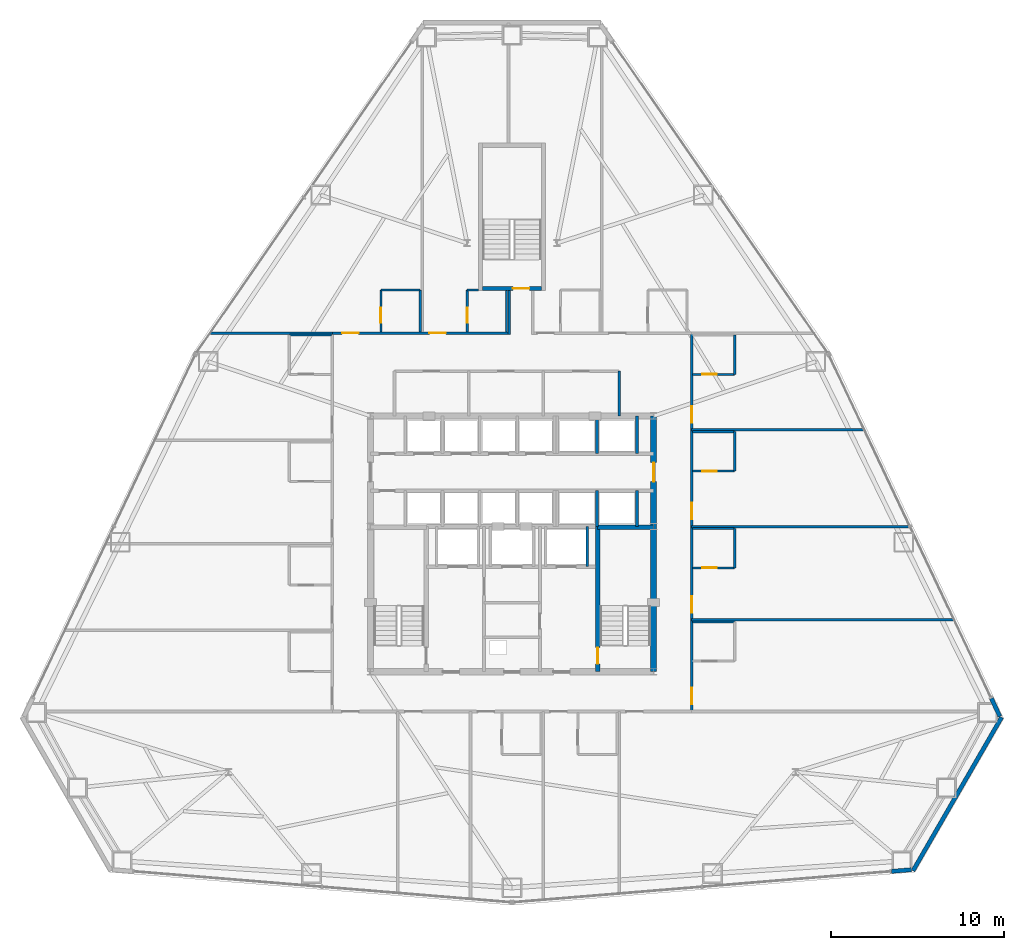
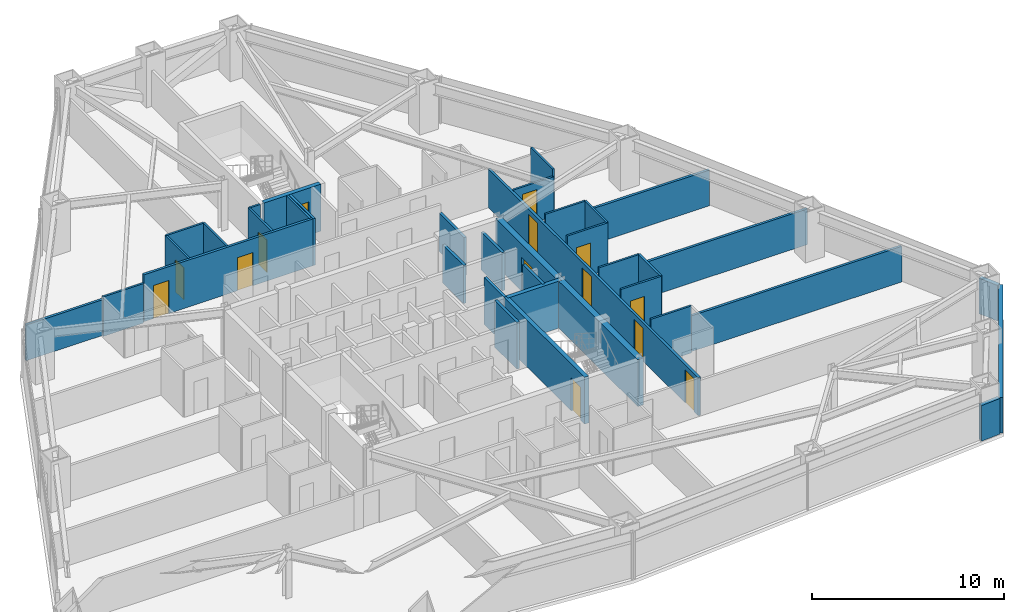
# One storey, part 11 of 13: 36 walls, 14 doors, 14 openings.
"""IFC4 building model written with IfcOpenShell, lengths in metres."""

from ifc_helpers import new_model, si_unit, direction, frame, frame_2d, origin, place, context, subcontext, project, spatial, rectangle, extrude, material, layer, layer_set, type_object, element, fill, save


model = new_model("IFC4")

# Units and contexts
model_context = context("Model", 3, precision=1e-05, world=origin(), true_north=direction((0.0, 1.0)))
body_context = subcontext(model_context, "Body", "Model", "MODEL_VIEW")
ifc_project = project(units=[si_unit("LENGTHUNIT", "METRE"), si_unit("AREAUNIT", "SQUARE_METRE"), si_unit("VOLUMEUNIT", "CUBIC_METRE"), si_unit("PLANEANGLEUNIT", "RADIAN"), si_unit("MASSUNIT", "GRAM", prefix="KILO")], contexts=[model_context])

# Site, building, storey
site_placement = place(None, origin())
site = spatial("IfcSite", under=ifc_project, at=site_placement, CompositionType="ELEMENT")
building_placement = place(site_placement, origin())
building = spatial("IfcBuilding", under=site, at=building_placement, Name="Varakhsha Concourse Tower", CompositionType="ELEMENT")
storey_placement = place(building_placement, frame((0.0, 0.0, 49.60009765625)))
storey = spatial("IfcBuildingStorey", under=building, at=storey_placement, Name="L13", CompositionType="ELEMENT", Elevation=49.60009765625)

# Wall, opening, door
ifc_material_1 = material(Name="Concrete fc 65 MPa", Category="concrete")
ifc_layer_1 = layer(ifc_material_1, 0.35009765625, Name="WL-CORE-350")
ifc_layer_set_1 = layer_set([ifc_layer_1], Name="Concrete fc 65 MPa")
wall_type_1 = type_object("IfcWallType", Name="WL-CORE-350", PredefinedType="SHEAR", material=ifc_layer_set_1)
wall_1_placement = place(storey_placement, frame((48.199951171875, 16.39990234375, 0.0), z_axis=(0.0, 0.0, 1.0), x_axis=(0.0, 1.0, 0.0)))
wall_1 = element("IfcWall", 1, at=wall_1_placement, inside=storey, type_object=wall_type_1, Name="L13 Wall CWALL-E-L13", PredefinedType="SHEAR", context=body_context, shape_type="SweptSolid", body=[
    extrude(rectangle(XDim=14.800048828125, YDim=0.35009765625, at=frame_2d((7.39990234375, 0.0))), origin(), (0.0, 0.0, 1.0), 2.97998046875),
])
opening_1_placement = place(wall_1_placement, frame((11.0, 0.0, 0.0)))
opening_1 = element("IfcOpeningElement", 2, at=opening_1_placement, cuts=wall_1, Name="Opening DL-01", PredefinedType="OPENING", context=body_context, shape_type="SweptSolid", body=[
    extrude(rectangle(XDim=1.10009765625, YDim=2.14990234375, at=frame_2d((0.550048828125, 1.074951171875))), frame((0.0, 0.18505859375, 0.0), z_axis=(0.0, -1.0, 0.0), x_axis=(1.0, 0.0, 0.0)), (0.0, 0.0, 1.0), 0.3701171875),
])
ifc_material_2 = material(Name="Anodised Bronze Architectural Aluminium AA 6063-T6", Category="aluminium")
door_type_1 = type_object("IfcDoorType", Name="DR-LOB-1100", OperationType="NOTDEFINED", PredefinedType="DOOR", material=ifc_material_2)
door_1_placement = place(opening_1_placement, origin())
door_1 = element("IfcDoor", 3, at=door_1_placement, inside=storey, type_object=door_type_1, Name="L13 Lift Lobby East Concourse Door", OperationType="SINGLE_SWING_RIGHT", OverallHeight=2.14990234375, OverallWidth=1.10009765625, PredefinedType="DOOR", context=body_context, shape_type="SweptSolid", body=[
    extrude(rectangle(XDim=1.10009765625, YDim=2.14990234375, at=frame_2d((0.550048828125, 1.074951171875))), frame((0.0, 0.02490234375, 0.0), z_axis=(0.0, -1.0, 0.0), x_axis=(1.0, 0.0, 0.0)), (0.0, 0.0, 1.0), 0.050048828125),
])
fill(opening_1, door_1)

# Walls
ifc_material_3 = material(Name="Concrete fc 45 MPa", Category="concrete")
ifc_layer_2 = layer(ifc_material_3, 0.239990234375, Name="WL-EXT-CRN-240")
ifc_layer_set_2 = layer_set([ifc_layer_2], Name="Concrete fc 45 MPa")
wall_type_2 = type_object("IfcWallType", Name="WL-EXT-CRN-240", PredefinedType="SHEAR", material=ifc_layer_set_2)
wall_2_placement = place(storey_placement, frame((61.953857421875, 4.8466796875, 0.0), z_axis=(0.0, 0.0, 1.0), x_axis=(0.996673482789, 0.081498274251, 0.0)))
element("IfcWall", 4, at=wall_2_placement, inside=storey, type_object=wall_type_2, Name="L13 Wind-Corner Shoulder Wall F6", PredefinedType="SHEAR", context=body_context, shape_type="SweptSolid", body=[
    extrude(rectangle(XDim=1.162353515625, YDim=0.239990234375, at=frame_2d((0.5810546875, 0.0))), origin(), (0.0, 0.0, 1.0), 2.262939453125),
])
wall_3_placement = place(storey_placement, frame((68.334716796875, 13.762939453125, 0.0), z_axis=(0.0, 0.0, 1.0), x_axis=(-0.50000197177, -0.86602426538, 0.0)))
element("IfcWall", 5, at=wall_3_placement, inside=storey, type_object=wall_type_2, Name="L13 Chamfer Wind-Corner Insulated Wall F7", PredefinedType="SHEAR", context=body_context, shape_type="SweptSolid", body=[
    extrude(rectangle(XDim=10.25732421875, YDim=0.239990234375, at=frame_2d((5.128662109375, 0.0))), origin(), (0.0, 0.0, 1.0), 2.262939453125),
])
wall_4_placement = place(storey_placement, frame((68.234619140625, 13.8134765625, 0.0), z_axis=(0.0, 0.0, 1.0), x_axis=(-0.42778841273, 0.903878904463, 0.0)))
element("IfcWall", 6, at=wall_4_placement, inside=storey, type_object=wall_type_2, Name="L13 Wind-Corner Shoulder Wall F8", PredefinedType="SHEAR", context=body_context, shape_type="SweptSolid", body=[
    extrude(rectangle(XDim=1.16259765625, YDim=0.239990234375, at=frame_2d((0.581298828125, 0.0))), origin(), (0.0, 0.0, 1.0), 2.262939453125),
])
ifc_material_4 = material(Name="Acoustic Gypsum Board Partition Assembly", Category="gypsum")
ifc_layer_3 = layer(ifc_material_4, 0.1201171875, Name="WL-PART-120")
ifc_layer_set_3 = layer_set([ifc_layer_3], Name="Acoustic Gypsum Board Partition Assembly")
wall_type_3 = type_object("IfcWallType", Name="WL-PART-120", PredefinedType="PARTITIONING", material=ifc_layer_set_3)
wall_5_placement = place(storey_placement, frame((27.110107421875, 35.889892578125, 0.0), z_axis=(0.0, 0.0, 1.0), x_axis=(1.0, 0.0, 0.0)))
element("IfcWall", 7, at=wall_5_placement, inside=storey, type_object=wall_type_3, Name="L13 Wall ENSW-N-L13-H09", PredefinedType="PARTITIONING", context=body_context, shape_type="SweptSolid", body=[
    extrude(rectangle(XDim=2.429931640625, YDim=0.1201171875, at=frame_2d((1.21484375, 0.0))), origin(), (0.0, 0.0, 1.0), 2.512939453125),
])
wall_6_placement = place(storey_placement, frame((50.4599609375, 19.2900390625, 0.0), z_axis=(0.0, 0.0, 1.0), x_axis=(1.0, 0.0, 0.0)))
element("IfcWall", 8, at=wall_6_placement, inside=storey, type_object=wall_type_3, Name="L13 Wall ENSW-N-L13-H10", PredefinedType="PARTITIONING", context=body_context, shape_type="SweptSolid", body=[
    extrude(rectangle(XDim=2.429931640625, YDim=0.1201171875, at=frame_2d((1.21484375, 0.0))), origin(), (0.0, 0.0, 1.0), 2.97998046875),
])
wall_7_placement = place(storey_placement, frame((52.889892578125, 22.409912109375, 0.0), z_axis=(0.0, 0.0, 1.0), x_axis=(0.0, 1.0, 0.0)))
element("IfcWall", 9, at=wall_7_placement, inside=storey, type_object=wall_type_3, Name="L13 Wall ENSW-E-L13-H11", PredefinedType="PARTITIONING", context=body_context, shape_type="SweptSolid", body=[
    extrude(rectangle(XDim=2.280029296875, YDim=0.1201171875, at=frame_2d((1.14013671875, 0.0))), origin(), (0.0, 0.0, 1.0), 2.97998046875),
])

# Wall, opening, door
wall_8_placement = place(storey_placement, frame((50.4599609375, 22.409912109375, 0.0), z_axis=(0.0, 0.0, 1.0), x_axis=(1.0, 0.0, 0.0)))
wall_8 = element("IfcWall", 10, at=wall_8_placement, inside=storey, type_object=wall_type_3, Name="L13 Wall ENSW-S-L13-H11", PredefinedType="PARTITIONING", context=body_context, shape_type="SweptSolid", body=[
    extrude(rectangle(XDim=2.429931640625, YDim=0.1201171875, at=frame_2d((1.21484375, 0.0))), origin(), (0.0, 0.0, 1.0), 2.97998046875),
])
opening_2_placement = place(wall_8_placement, frame((0.550048828125, 0.0, 0.0)))
opening_2 = element("IfcOpeningElement", 11, at=opening_2_placement, cuts=wall_8, Name="Opening DI-01", PredefinedType="OPENING", context=body_context, shape_type="SweptSolid", body=[
    extrude(rectangle(XDim=0.85009765625, YDim=2.050048828125, at=frame_2d((0.425048828125, 1.02490234375))), frame((0.0, 0.070068359375, 0.0), z_axis=(0.0, -1.0, 0.0), x_axis=(1.0, 0.0, 0.0)), (0.0, 0.0, 1.0), 0.14013671875),
])
ifc_material_5 = material(Name="Architectural Walnut Acoustic Timber Door", Category="wood")
door_type_2 = type_object("IfcDoorType", Name="DR-INT-850", OperationType="NOTDEFINED", PredefinedType="DOOR", material=ifc_material_5)
door_2_placement = place(opening_2_placement, origin())
door_2 = element("IfcDoor", 12, at=door_2_placement, inside=storey, type_object=door_type_2, Name="L13 En-suite Bathroom Door L13-H11", OperationType="SINGLE_SWING_RIGHT", OverallHeight=2.050048828125, OverallWidth=0.85009765625, PredefinedType="DOOR", context=body_context, shape_type="SweptSolid", body=[
    extrude(rectangle(XDim=0.85009765625, YDim=2.050048828125, at=frame_2d((0.425048828125, 1.02490234375))), frame((0.0, 0.02490234375, 0.0), z_axis=(0.0, -1.0, 0.0), x_axis=(1.0, 0.0, 0.0)), (0.0, 0.0, 1.0), 0.050048828125),
])
fill(opening_2, door_2)

# Walls
wall_9_placement = place(storey_placement, frame((50.4599609375, 24.68994140625, 0.0), z_axis=(0.0, 0.0, 1.0), x_axis=(1.0, 0.0, 0.0)))
element("IfcWall", 13, at=wall_9_placement, inside=storey, type_object=wall_type_3, Name="L13 Wall ENSW-N-L13-H11", PredefinedType="PARTITIONING", context=body_context, shape_type="SweptSolid", body=[
    extrude(rectangle(XDim=2.429931640625, YDim=0.1201171875, at=frame_2d((1.21484375, 0.0))), origin(), (0.0, 0.0, 1.0), 2.97998046875),
])
wall_10_placement = place(storey_placement, frame((52.889892578125, 28.010009765625, 0.0), z_axis=(0.0, 0.0, 1.0), x_axis=(0.0, 1.0, 0.0)))
element("IfcWall", 14, at=wall_10_placement, inside=storey, type_object=wall_type_3, Name="L13 Wall ENSW-E-L13-H12", PredefinedType="PARTITIONING", context=body_context, shape_type="SweptSolid", body=[
    extrude(rectangle(XDim=2.280029296875, YDim=0.1201171875, at=frame_2d((1.14013671875, 0.0))), origin(), (0.0, 0.0, 1.0), 2.97998046875),
])

# Wall, opening, door
wall_11_placement = place(storey_placement, frame((50.4599609375, 28.010009765625, 0.0), z_axis=(0.0, 0.0, 1.0), x_axis=(1.0, 0.0, 0.0)))
wall_11 = element("IfcWall", 15, at=wall_11_placement, inside=storey, type_object=wall_type_3, Name="L13 Wall ENSW-S-L13-H12", PredefinedType="PARTITIONING", context=body_context, shape_type="SweptSolid", body=[
    extrude(rectangle(XDim=2.429931640625, YDim=0.1201171875, at=frame_2d((1.21484375, 0.0))), origin(), (0.0, 0.0, 1.0), 2.97998046875),
])
opening_3_placement = place(wall_11_placement, frame((0.550048828125, 0.0, 0.0)))
opening_3 = element("IfcOpeningElement", 16, at=opening_3_placement, cuts=wall_11, Name="Opening DI-01", PredefinedType="OPENING", context=body_context, shape_type="SweptSolid", body=[
    extrude(rectangle(XDim=0.85009765625, YDim=2.050048828125, at=frame_2d((0.425048828125, 1.02490234375))), frame((0.0, 0.070068359375, 0.0), z_axis=(0.0, -1.0, 0.0), x_axis=(1.0, 0.0, 0.0)), (0.0, 0.0, 1.0), 0.14013671875),
])
door_3_placement = place(opening_3_placement, origin())
door_3 = element("IfcDoor", 17, at=door_3_placement, inside=storey, type_object=door_type_2, Name="L13 En-suite Bathroom Door L13-H12", OperationType="SINGLE_SWING_RIGHT", OverallHeight=2.050048828125, OverallWidth=0.85009765625, PredefinedType="DOOR", context=body_context, shape_type="SweptSolid", body=[
    extrude(rectangle(XDim=0.85009765625, YDim=2.050048828125, at=frame_2d((0.425048828125, 1.02490234375))), frame((0.0, 0.02490234375, 0.0), z_axis=(0.0, -1.0, 0.0), x_axis=(1.0, 0.0, 0.0)), (0.0, 0.0, 1.0), 0.050048828125),
])
fill(opening_3, door_3)

# Walls
wall_12_placement = place(storey_placement, frame((50.4599609375, 30.2900390625, 0.0), z_axis=(0.0, 0.0, 1.0), x_axis=(1.0, 0.0, 0.0)))
element("IfcWall", 18, at=wall_12_placement, inside=storey, type_object=wall_type_3, Name="L13 Wall ENSW-N-L13-H12", PredefinedType="PARTITIONING", context=body_context, shape_type="SweptSolid", body=[
    extrude(rectangle(XDim=2.429931640625, YDim=0.1201171875, at=frame_2d((1.21484375, 0.0))), origin(), (0.0, 0.0, 1.0), 2.97998046875),
])
wall_13_placement = place(storey_placement, frame((52.889892578125, 33.610107421875, 0.0), z_axis=(0.0, 0.0, 1.0), x_axis=(0.0, 1.0, 0.0)))
element("IfcWall", 19, at=wall_13_placement, inside=storey, type_object=wall_type_3, Name="L13 Wall ENSW-E-L13-H13", PredefinedType="PARTITIONING", context=body_context, shape_type="SweptSolid", body=[
    extrude(rectangle(XDim=2.27978515625, YDim=0.1201171875, at=frame_2d((1.139892578125, 0.0))), origin(), (0.0, 0.0, 1.0), 2.97998046875),
])

# Wall, opening, door
wall_14_placement = place(storey_placement, frame((50.4599609375, 33.610107421875, 0.0), z_axis=(0.0, 0.0, 1.0), x_axis=(1.0, 0.0, 0.0)))
wall_14 = element("IfcWall", 20, at=wall_14_placement, inside=storey, type_object=wall_type_3, Name="L13 Wall ENSW-S-L13-H13", PredefinedType="PARTITIONING", context=body_context, shape_type="SweptSolid", body=[
    extrude(rectangle(XDim=2.429931640625, YDim=0.1201171875, at=frame_2d((1.21484375, 0.0))), origin(), (0.0, 0.0, 1.0), 2.512939453125),
])
opening_4_placement = place(wall_14_placement, frame((0.550048828125, 0.0, 0.0)))
opening_4 = element("IfcOpeningElement", 21, at=opening_4_placement, cuts=wall_14, Name="Opening DI-01", PredefinedType="OPENING", context=body_context, shape_type="SweptSolid", body=[
    extrude(rectangle(XDim=0.85009765625, YDim=2.050048828125, at=frame_2d((0.425048828125, 1.02490234375))), frame((0.0, 0.070068359375, 0.0), z_axis=(0.0, -1.0, 0.0), x_axis=(1.0, 0.0, 0.0)), (0.0, 0.0, 1.0), 0.14013671875),
])
door_4_placement = place(opening_4_placement, origin())
door_4 = element("IfcDoor", 22, at=door_4_placement, inside=storey, type_object=door_type_2, Name="L13 En-suite Bathroom Door L13-H13", OperationType="SINGLE_SWING_RIGHT", OverallHeight=2.050048828125, OverallWidth=0.85009765625, PredefinedType="DOOR", context=body_context, shape_type="SweptSolid", body=[
    extrude(rectangle(XDim=0.85009765625, YDim=2.050048828125, at=frame_2d((0.425048828125, 1.02490234375))), frame((0.0, 0.02490234375, 0.0), z_axis=(0.0, -1.0, 0.0), x_axis=(1.0, 0.0, 0.0)), (0.0, 0.0, 1.0), 0.050048828125),
])
fill(opening_4, door_4)

wall_15_placement = place(storey_placement, frame((32.409912109375, 36.06005859375, 0.0), z_axis=(0.0, 0.0, 1.0), x_axis=(0.0, 1.0, 0.0)))
wall_15 = element("IfcWall", 23, at=wall_15_placement, inside=storey, type_object=wall_type_3, Name="L13 Wall ENSW-W-L13-H14", PredefinedType="PARTITIONING", context=body_context, shape_type="SweptSolid", body=[
    extrude(rectangle(XDim=2.429931640625, YDim=0.1201171875, at=frame_2d((1.21484375, 0.0))), origin(), (0.0, 0.0, 1.0), 2.97998046875),
])
opening_5_placement = place(wall_15_placement, frame((0.550048828125, 0.0, 0.0)))
opening_5 = element("IfcOpeningElement", 24, at=opening_5_placement, cuts=wall_15, Name="Opening DI-01", PredefinedType="OPENING", context=body_context, shape_type="SweptSolid", body=[
    extrude(rectangle(XDim=0.85009765625, YDim=2.050048828125, at=frame_2d((0.425048828125, 1.02490234375))), frame((0.0, 0.070068359375, 0.0), z_axis=(0.0, -1.0, 0.0), x_axis=(1.0, 0.0, 0.0)), (0.0, 0.0, 1.0), 0.14013671875),
])
door_5_placement = place(opening_5_placement, origin())
door_5 = element("IfcDoor", 25, at=door_5_placement, inside=storey, type_object=door_type_2, Name="L13 En-suite Bathroom Door L13-H14", OperationType="SINGLE_SWING_RIGHT", OverallHeight=2.050048828125, OverallWidth=0.85009765625, PredefinedType="DOOR", context=body_context, shape_type="SweptSolid", body=[
    extrude(rectangle(XDim=0.85009765625, YDim=2.050048828125, at=frame_2d((0.425048828125, 1.02490234375))), frame((0.0, 0.02490234375, 0.0), z_axis=(0.0, -1.0, 0.0), x_axis=(1.0, 0.0, 0.0)), (0.0, 0.0, 1.0), 0.050048828125),
])
fill(opening_5, door_5)

# Walls
wall_16_placement = place(storey_placement, frame((34.68994140625, 36.06005859375, 0.0), z_axis=(0.0, 0.0, 1.0), x_axis=(0.0, 1.0, 0.0)))
element("IfcWall", 26, at=wall_16_placement, inside=storey, type_object=wall_type_3, Name="L13 Wall ENSW-E-L13-H14", PredefinedType="PARTITIONING", context=body_context, shape_type="SweptSolid", body=[
    extrude(rectangle(XDim=2.429931640625, YDim=0.1201171875, at=frame_2d((1.21484375, 0.0))), origin(), (0.0, 0.0, 1.0), 2.97998046875),
])
wall_17_placement = place(storey_placement, frame((32.409912109375, 38.489990234375, 0.0), z_axis=(0.0, 0.0, 1.0), x_axis=(1.0, 0.0, 0.0)))
element("IfcWall", 27, at=wall_17_placement, inside=storey, type_object=wall_type_3, Name="L13 Wall ENSW-N-L13-H14", PredefinedType="PARTITIONING", context=body_context, shape_type="SweptSolid", body=[
    extrude(rectangle(XDim=2.280029296875, YDim=0.1201171875, at=frame_2d((1.14013671875, 0.0))), origin(), (0.0, 0.0, 1.0), 2.97998046875),
])

# Wall, opening, door
wall_18_placement = place(storey_placement, frame((37.409912109375, 36.06005859375, 0.0), z_axis=(0.0, 0.0, 1.0), x_axis=(0.0, 1.0, 0.0)))
wall_18 = element("IfcWall", 28, at=wall_18_placement, inside=storey, type_object=wall_type_3, Name="L13 Wall ENSW-W-L13-H15", PredefinedType="PARTITIONING", context=body_context, shape_type="SweptSolid", body=[
    extrude(rectangle(XDim=2.429931640625, YDim=0.1201171875, at=frame_2d((1.21484375, 0.0))), origin(), (0.0, 0.0, 1.0), 2.97998046875),
])
opening_6_placement = place(wall_18_placement, frame((0.550048828125, 0.0, 0.0)))
opening_6 = element("IfcOpeningElement", 29, at=opening_6_placement, cuts=wall_18, Name="Opening DI-01", PredefinedType="OPENING", context=body_context, shape_type="SweptSolid", body=[
    extrude(rectangle(XDim=0.85009765625, YDim=2.050048828125, at=frame_2d((0.425048828125, 1.02490234375))), frame((0.0, 0.070068359375, 0.0), z_axis=(0.0, -1.0, 0.0), x_axis=(1.0, 0.0, 0.0)), (0.0, 0.0, 1.0), 0.14013671875),
])
door_6_placement = place(opening_6_placement, origin())
door_6 = element("IfcDoor", 30, at=door_6_placement, inside=storey, type_object=door_type_2, Name="L13 En-suite Bathroom Door L13-H15", OperationType="SINGLE_SWING_RIGHT", OverallHeight=2.050048828125, OverallWidth=0.85009765625, PredefinedType="DOOR", context=body_context, shape_type="SweptSolid", body=[
    extrude(rectangle(XDim=0.85009765625, YDim=2.050048828125, at=frame_2d((0.425048828125, 1.02490234375))), frame((0.0, 0.02490234375, 0.0), z_axis=(0.0, -1.0, 0.0), x_axis=(1.0, 0.0, 0.0)), (0.0, 0.0, 1.0), 0.050048828125),
])
fill(opening_6, door_6)

# Walls
wall_19_placement = place(storey_placement, frame((39.68994140625, 36.06005859375, 0.0), z_axis=(0.0, 0.0, 1.0), x_axis=(0.0, 1.0, 0.0)))
element("IfcWall", 31, at=wall_19_placement, inside=storey, type_object=wall_type_3, Name="L13 Wall ENSW-E-L13-H15", PredefinedType="PARTITIONING", context=body_context, shape_type="SweptSolid", body=[
    extrude(rectangle(XDim=2.389892578125, YDim=0.1201171875, at=frame_2d((1.19482421875, 0.0))), origin(), (0.0, 0.0, 1.0), 2.97998046875),
])
wall_20_placement = place(storey_placement, frame((37.409912109375, 38.489990234375, 0.0), z_axis=(0.0, 0.0, 1.0), x_axis=(1.0, 0.0, 0.0)))
element("IfcWall", 32, at=wall_20_placement, inside=storey, type_object=wall_type_3, Name="L13 Wall ENSW-N-L13-H15", PredefinedType="PARTITIONING", context=body_context, shape_type="SweptSolid", body=[
    extrude(rectangle(XDim=0.64013671875, YDim=0.1201171875, at=frame_2d((0.320068359375, 0.0))), origin(), (0.0, 0.0, 1.0), 2.97998046875),
])
ifc_material_6 = material(Name="Fire-Rated Type X Gypsum Partition Assembly", Category="gypsum")
ifc_layer_4 = layer(ifc_material_6, 0.14990234375, Name="WL-PART-150")
ifc_layer_set_4 = layer_set([ifc_layer_4], Name="Fire-Rated Type X Gypsum Partition Assembly")
wall_type_4 = type_object("IfcWallType", Name="WL-PART-150", PredefinedType="PARTITIONING", material=ifc_layer_set_4)
wall_21_placement = place(storey_placement, frame((46.199951171875, 31.199951171875, 0.0), z_axis=(0.0, 0.0, 1.0), x_axis=(0.0, 1.0, 0.0)))
element("IfcWall", 33, at=wall_21_placement, inside=storey, type_object=wall_type_4, Name="L13 Wall NBOH-E-L13", PredefinedType="PARTITIONING", context=body_context, shape_type="SweptSolid", body=[
    extrude(rectangle(XDim=2.60009765625, YDim=0.14990234375, at=frame_2d((1.300048828125, 0.0))), origin(), (0.0, 0.0, 1.0), 2.430908203125),
])

# Wall, openings, doors
wall_22_placement = place(storey_placement, frame((29.60009765625, 36.0, 0.0), z_axis=(0.0, 0.0, 1.0), x_axis=(1.0, 0.0, 0.0)))
wall_22 = element("IfcWall", 34, at=wall_22_placement, inside=storey, type_object=wall_type_4, Name="L13 Wall CRW-N-L13", PredefinedType="PARTITIONING", context=body_context, shape_type="SweptSolid", body=[
    extrude(rectangle(XDim=10.1748046875, YDim=0.14990234375, at=frame_2d((5.08740234375, 0.0))), origin(), (0.0, 0.0, 1.0), 2.97998046875),
])
opening_7_placement = place(wall_22_placement, frame((0.570068359375, 0.0, 0.0)))
opening_7 = element("IfcOpeningElement", 35, at=opening_7_placement, cuts=wall_22, Name="Opening DF-05", PredefinedType="OPENING", context=body_context, shape_type="SweptSolid", body=[
    extrude(rectangle(XDim=0.949951171875, YDim=2.10009765625, at=frame_2d((0.47509765625, 1.050048828125))), frame((0.0, 0.0849609375, 0.0), z_axis=(0.0, -1.0, 0.0), x_axis=(1.0, 0.0, 0.0)), (0.0, 0.0, 1.0), 0.169921875),
])
opening_8_placement = place(wall_22_placement, frame((5.6201171875, 0.0, 0.0)))
opening_8 = element("IfcOpeningElement", 36, at=opening_8_placement, cuts=wall_22, Name="Opening DF-05", PredefinedType="OPENING", context=body_context, shape_type="SweptSolid", body=[
    extrude(rectangle(XDim=0.949951171875, YDim=2.10009765625, at=frame_2d((0.47509765625, 1.050048828125))), frame((0.0, 0.0849609375, 0.0), z_axis=(0.0, -1.0, 0.0), x_axis=(1.0, 0.0, 0.0)), (0.0, 0.0, 1.0), 0.169921875),
])
ifc_material_7 = material(Name="Hollow Galvanised Steel Fire Door Assembly", Category="steel")
door_type_3 = type_object("IfcDoorType", Name="DR-FD60-950", OperationType="NOTDEFINED", PredefinedType="DOOR", material=ifc_material_7)
door_7_placement = place(opening_7_placement, origin())
door_7 = element("IfcDoor", 37, at=door_7_placement, inside=storey, type_object=door_type_3, Name="L13 Hotel Corner Suite L13-H14 Entry Door", OperationType="SINGLE_SWING_RIGHT", OverallHeight=2.10009765625, OverallWidth=0.949951171875, PredefinedType="DOOR", context=body_context, shape_type="SweptSolid", body=[
    extrude(rectangle(XDim=0.949951171875, YDim=2.10009765625, at=frame_2d((0.47509765625, 1.050048828125))), frame((0.0, 0.02490234375, 0.0), z_axis=(0.0, -1.0, 0.0), x_axis=(1.0, 0.0, 0.0)), (0.0, 0.0, 1.0), 0.050048828125),
])
fill(opening_7, door_7)
door_8_placement = place(opening_8_placement, origin())
door_8 = element("IfcDoor", 38, at=door_8_placement, inside=storey, type_object=door_type_3, Name="L13 Hotel Corner Suite L13-H15 Entry Door", OperationType="SINGLE_SWING_LEFT", OverallHeight=2.10009765625, OverallWidth=0.949951171875, PredefinedType="DOOR", context=body_context, shape_type="SweptSolid", body=[
    extrude(rectangle(XDim=0.949951171875, YDim=2.10009765625, at=frame_2d((0.47509765625, 1.050048828125))), frame((0.0, 0.02490234375, 0.0), z_axis=(0.0, -1.0, 0.0), x_axis=(1.0, 0.0, 0.0)), (0.0, 0.0, 1.0), 0.050048828125),
])
fill(opening_8, door_8)

wall_23_placement = place(storey_placement, frame((50.39990234375, 14.10009765625, 0.0), z_axis=(0.0, 0.0, 1.0), x_axis=(0.0, 1.0, 0.0)))
wall_23 = element("IfcWall", 39, at=wall_23_placement, inside=storey, type_object=wall_type_4, Name="L13 Wall CRW-E-L13", PredefinedType="PARTITIONING", context=body_context, shape_type="SweptSolid", body=[
    extrude(rectangle(XDim=21.89990234375, YDim=0.14990234375, at=frame_2d((10.949951171875, 0.0))), origin(), (0.0, 0.0, 1.0), 2.430908203125),
])
opening_9_placement = place(wall_23_placement, frame((0.419921875, 0.0, 0.0)))
opening_9 = element("IfcOpeningElement", 40, at=opening_9_placement, cuts=wall_23, Name="Opening DF-05", PredefinedType="OPENING", context=body_context, shape_type="SweptSolid", body=[
    extrude(rectangle(XDim=0.949951171875, YDim=2.10009765625, at=frame_2d((0.47509765625, 1.050048828125))), frame((0.0, 0.0849609375, 0.0), z_axis=(0.0, -1.0, 0.0), x_axis=(1.0, 0.0, 0.0)), (0.0, 0.0, 1.0), 0.169921875),
])
opening_10_placement = place(wall_23_placement, frame((5.719970703125, 0.0, 0.0)))
opening_10 = element("IfcOpeningElement", 41, at=opening_10_placement, cuts=wall_23, Name="Opening DF-05", PredefinedType="OPENING", context=body_context, shape_type="SweptSolid", body=[
    extrude(rectangle(XDim=0.949951171875, YDim=2.10009765625, at=frame_2d((0.47509765625, 1.050048828125))), frame((0.0, 0.0849609375, 0.0), z_axis=(0.0, -1.0, 0.0), x_axis=(1.0, 0.0, 0.0)), (0.0, 0.0, 1.0), 0.169921875),
])
opening_11_placement = place(wall_23_placement, frame((11.1201171875, 0.0, 0.0)))
opening_11 = element("IfcOpeningElement", 42, at=opening_11_placement, cuts=wall_23, Name="Opening DF-05", PredefinedType="OPENING", context=body_context, shape_type="SweptSolid", body=[
    extrude(rectangle(XDim=0.949951171875, YDim=2.10009765625, at=frame_2d((0.47509765625, 1.050048828125))), frame((0.0, 0.0849609375, 0.0), z_axis=(0.0, -1.0, 0.0), x_axis=(1.0, 0.0, 0.0)), (0.0, 0.0, 1.0), 0.169921875),
])
opening_12_placement = place(wall_23_placement, frame((16.719970703125, 0.0, 0.0)))
opening_12 = element("IfcOpeningElement", 43, at=opening_12_placement, cuts=wall_23, Name="Opening DF-05", PredefinedType="OPENING", context=body_context, shape_type="SweptSolid", body=[
    extrude(rectangle(XDim=0.949951171875, YDim=2.10009765625, at=frame_2d((0.47509765625, 1.050048828125))), frame((0.0, 0.0849609375, 0.0), z_axis=(0.0, -1.0, 0.0), x_axis=(1.0, 0.0, 0.0)), (0.0, 0.0, 1.0), 0.169921875),
])
door_9_placement = place(opening_9_placement, origin())
door_9 = element("IfcDoor", 44, at=door_9_placement, inside=storey, type_object=door_type_3, Name="L13 Hotel Corner Suite L13-H10 Entry Door", OperationType="SINGLE_SWING_RIGHT", OverallHeight=2.10009765625, OverallWidth=0.949951171875, PredefinedType="DOOR", context=body_context, shape_type="SweptSolid", body=[
    extrude(rectangle(XDim=0.949951171875, YDim=2.10009765625, at=frame_2d((0.47509765625, 1.050048828125))), frame((0.0, 0.02490234375, 0.0), z_axis=(0.0, -1.0, 0.0), x_axis=(1.0, 0.0, 0.0)), (0.0, 0.0, 1.0), 0.050048828125),
])
fill(opening_9, door_9)
door_10_placement = place(opening_10_placement, origin())
door_10 = element("IfcDoor", 45, at=door_10_placement, inside=storey, type_object=door_type_3, Name="L13 Hotel Corner Suite L13-H11 Entry Door", OperationType="SINGLE_SWING_LEFT", OverallHeight=2.10009765625, OverallWidth=0.949951171875, PredefinedType="DOOR", context=body_context, shape_type="SweptSolid", body=[
    extrude(rectangle(XDim=0.949951171875, YDim=2.10009765625, at=frame_2d((0.47509765625, 1.050048828125))), frame((0.0, 0.02490234375, 0.0), z_axis=(0.0, -1.0, 0.0), x_axis=(1.0, 0.0, 0.0)), (0.0, 0.0, 1.0), 0.050048828125),
])
fill(opening_10, door_10)
door_11_placement = place(opening_11_placement, origin())
door_11 = element("IfcDoor", 46, at=door_11_placement, inside=storey, type_object=door_type_3, Name="L13 Hotel Corner Suite L13-H12 Entry Door", OperationType="SINGLE_SWING_RIGHT", OverallHeight=2.10009765625, OverallWidth=0.949951171875, PredefinedType="DOOR", context=body_context, shape_type="SweptSolid", body=[
    extrude(rectangle(XDim=0.949951171875, YDim=2.10009765625, at=frame_2d((0.47509765625, 1.050048828125))), frame((0.0, 0.02490234375, 0.0), z_axis=(0.0, -1.0, 0.0), x_axis=(1.0, 0.0, 0.0)), (0.0, 0.0, 1.0), 0.050048828125),
])
fill(opening_11, door_11)
door_12_placement = place(opening_12_placement, origin())
door_12 = element("IfcDoor", 47, at=door_12_placement, inside=storey, type_object=door_type_3, Name="L13 Hotel Corner Suite L13-H13 Entry Door", OperationType="SINGLE_SWING_LEFT", OverallHeight=2.10009765625, OverallWidth=0.949951171875, PredefinedType="DOOR", context=body_context, shape_type="SweptSolid", body=[
    extrude(rectangle(XDim=0.949951171875, YDim=2.10009765625, at=frame_2d((0.47509765625, 1.050048828125))), frame((0.0, 0.02490234375, 0.0), z_axis=(0.0, -1.0, 0.0), x_axis=(1.0, 0.0, 0.0)), (0.0, 0.0, 1.0), 0.050048828125),
])
fill(opening_12, door_12)

# Walls
wall_24_placement = place(storey_placement, frame((22.53466796875, 36.0, 0.0), z_axis=(0.0, 0.0, 1.0), x_axis=(1.0, 0.0, 0.0)))
element("IfcWall", 48, at=wall_24_placement, inside=storey, type_object=wall_type_4, Name="L13 Wall HDIV-WBN-L13", PredefinedType="PARTITIONING", context=body_context, shape_type="SweptSolid", body=[
    extrude(rectangle(XDim=7.0654296875, YDim=0.14990234375, at=frame_2d((3.53271484375, 0.0))), origin(), (0.0, 0.0, 1.0), 2.267822265625),
])
wall_25_placement = place(storey_placement, frame((50.39990234375, 19.39990234375, 0.0), z_axis=(0.0, 0.0, 1.0), x_axis=(1.0, 0.0, 0.0)))
element("IfcWall", 49, at=wall_25_placement, inside=storey, type_object=wall_type_4, Name="L13 Wall HDIV-E1-L13", PredefinedType="PARTITIONING", context=body_context, shape_type="SweptSolid", body=[
    extrude(rectangle(XDim=15.186279296875, YDim=0.14990234375, at=frame_2d((7.59326171875, 0.0))), origin(), (0.0, 0.0, 1.0), 2.267822265625),
])
wall_26_placement = place(storey_placement, frame((50.39990234375, 24.800048828125, 0.0), z_axis=(0.0, 0.0, 1.0), x_axis=(1.0, 0.0, 0.0)))
element("IfcWall", 50, at=wall_26_placement, inside=storey, type_object=wall_type_4, Name="L13 Wall HDIV-E2-L13", PredefinedType="PARTITIONING", context=body_context, shape_type="SweptSolid", body=[
    extrude(rectangle(XDim=12.632080078125, YDim=0.14990234375, at=frame_2d((6.31591796875, 0.0))), origin(), (0.0, 0.0, 1.0), 2.267822265625),
])
wall_27_placement = place(storey_placement, frame((50.39990234375, 30.39990234375, 0.0), z_axis=(0.0, 0.0, 1.0), x_axis=(1.0, 0.0, 0.0)))
element("IfcWall", 51, at=wall_27_placement, inside=storey, type_object=wall_type_4, Name="L13 Wall HDIV-E3-L13", PredefinedType="PARTITIONING", context=body_context, shape_type="SweptSolid", body=[
    extrude(rectangle(XDim=9.983154296875, YDim=0.14990234375, at=frame_2d((4.99169921875, 0.0))), origin(), (0.0, 0.0, 1.0), 2.267822265625),
])
wall_28_placement = place(storey_placement, frame((39.85009765625, 35.925048828125, 0.0), z_axis=(0.0, 0.0, 1.0), x_axis=(0.0, 1.0, 0.0)))
element("IfcWall", 52, at=wall_28_placement, inside=storey, type_object=wall_type_4, Name="L13 Wall STUB-W-L13", PredefinedType="PARTITIONING", context=body_context, shape_type="SweptSolid", body=[
    extrude(rectangle(XDim=2.52490234375, YDim=0.14990234375, at=frame_2d((1.262451171875, 0.0))), origin(), (0.0, 0.0, 1.0), 2.97998046875),
])
ifc_layer_5 = layer(ifc_material_6, 0.199951171875, Name="WL-SHAFT-220")
ifc_layer_set_5 = layer_set([ifc_layer_5], Name="Fire-Rated Type X Gypsum Partition Assembly")
wall_type_5 = type_object("IfcWallType", Name="WL-SHAFT-220", PredefinedType="SOLIDWALL", material=ifc_layer_set_5)
wall_29_placement = place(storey_placement, frame((44.35009765625, 22.47998046875, 0.0), z_axis=(0.0, 0.0, 1.0), x_axis=(0.0, 1.0, 0.0)))
element("IfcWall", 53, at=wall_29_placement, inside=storey, type_object=wall_type_5, Name="L13 Wall SHW-FFL-2-E-L13", PredefinedType="SOLIDWALL", context=body_context, shape_type="SweptSolid", body=[
    extrude(rectangle(XDim=2.320068359375, YDim=0.159912109375, at=frame_2d((1.16015625, 0.0))), origin(), (0.0, 0.0, 1.0), 2.97998046875),
])
for number, where, z_axis, x_axis, name in (
    (54, (44.919921875, 29.02001953125, 0.0), (0.0, 0.0, 1.0), (0.0, 1.0, 0.0), "L13 Wall SHW-LF-P09-E-L13"),
    (55, (47.239990234375, 29.02001953125, 0.0), (0.0, 0.0, 1.0), (0.0, 1.0, 0.0), "L13 Wall SHW-LF-P10-E-L13"),
):
    element("IfcWall", number, at=place(storey_placement, frame(where, z_axis=z_axis, x_axis=x_axis)), inside=storey, type_object=wall_type_5, Name=name, PredefinedType="SOLIDWALL", context=body_context, shape_type="SweptSolid", body=[
        extrude(rectangle(XDim=2.179931640625, YDim=0.159912109375, at=frame_2d((1.08984375, 0.0))), origin(), (0.0, 0.0, 1.0), 2.430908203125),
    ])
for number, where, z_axis, x_axis, name in (
    (56, (44.919921875, 24.800048828125, 0.0), (0.0, 0.0, 1.0), (0.0, 1.0, 0.0), "L13 Wall SHW-LF-P11-E-L13"),
    (57, (47.239990234375, 24.800048828125, 0.0), (0.0, 0.0, 1.0), (0.0, 1.0, 0.0), "L13 Wall SHW-LF-P12-E-L13"),
):
    element("IfcWall", number, at=place(storey_placement, frame(where, z_axis=z_axis, x_axis=x_axis)), inside=storey, type_object=wall_type_5, Name=name, PredefinedType="SOLIDWALL", context=body_context, shape_type="SweptSolid", body=[
        extrude(rectangle(XDim=2.079833984375, YDim=0.159912109375, at=frame_2d((1.0400390625, 0.0))), origin(), (0.0, 0.0, 1.0), 2.97998046875),
    ])

# Wall, opening, door
ifc_layer_6 = layer(ifc_material_3, 0.25, Name="WL-STAIR-250")
ifc_layer_set_6 = layer_set([ifc_layer_6], Name="Concrete fc 45 MPa")
wall_type_6 = type_object("IfcWallType", Name="WL-STAIR-250", PredefinedType="SHEAR", material=ifc_layer_set_6)
wall_30_placement = place(storey_placement, frame((44.955078125, 16.39990234375, 0.0), z_axis=(0.0, 0.0, 1.0), x_axis=(0.0, 1.0, 0.0)))
wall_30 = element("IfcWall", 58, at=wall_30_placement, inside=storey, type_object=wall_type_6, Name="L13 Wall SWALL-ST2-W-L13", PredefinedType="SHEAR", context=body_context, shape_type="SweptSolid", body=[
    extrude(rectangle(XDim=8.400146484375, YDim=0.25, at=frame_2d((4.2001953125, 0.0))), origin(), (0.0, 0.0, 1.0), 2.97998046875),
])
opening_13_placement = place(wall_30_placement, frame((0.449951171875, 0.0, 0.0)))
opening_13 = element("IfcOpeningElement", 59, at=opening_13_placement, cuts=wall_30, Name="Opening DF-03", PredefinedType="OPENING", context=body_context, shape_type="SweptSolid", body=[
    extrude(rectangle(XDim=0.949951171875, YDim=2.10009765625, at=frame_2d((0.47509765625, 1.050048828125))), frame((0.0, 0.135009765625, 0.0), z_axis=(0.0, -1.0, 0.0), x_axis=(1.0, 0.0, 0.0)), (0.0, 0.0, 1.0), 0.27001953125),
])
door_type_4 = type_object("IfcDoorType", Name="DR-FD90-950", OperationType="NOTDEFINED", PredefinedType="DOOR", material=ifc_material_7)
door_13_placement = place(opening_13_placement, origin())
door_13 = element("IfcDoor", 60, at=door_13_placement, inside=storey, type_object=door_type_4, Name="L13 Stair ST2 Fire Door", OperationType="SINGLE_SWING_RIGHT", OverallHeight=2.10009765625, OverallWidth=0.949951171875, PredefinedType="DOOR", context=body_context, shape_type="SweptSolid", body=[
    extrude(rectangle(XDim=0.949951171875, YDim=2.10009765625, at=frame_2d((0.47509765625, 1.050048828125))), frame((0.0, 0.02490234375, 0.0), z_axis=(0.0, -1.0, 0.0), x_axis=(1.0, 0.0, 0.0)), (0.0, 0.0, 1.0), 0.050048828125),
])
fill(opening_13, door_13)

# Wall
wall_31_placement = place(storey_placement, frame((44.955078125, 24.7548828125, 0.0), z_axis=(0.0, 0.0, 1.0), x_axis=(1.0, 0.0, 0.0)))
element("IfcWall", 61, at=wall_31_placement, inside=storey, type_object=wall_type_6, Name="L13 Wall SWALL-ST2-N-L13", PredefinedType="SHEAR", context=body_context, shape_type="SweptSolid", body=[
    extrude(rectangle(XDim=3.244873046875, YDim=0.25, at=frame_2d((1.62255859375, 0.0))), origin(), (0.0, 0.0, 1.0), 2.97998046875),
])

# Wall, opening, door
wall_32_placement = place(storey_placement, frame((38.300048828125, 38.574951171875, 0.0), z_axis=(0.0, 0.0, 1.0), x_axis=(1.0, 0.0, 0.0)))
wall_32 = element("IfcWall", 62, at=wall_32_placement, inside=storey, type_object=wall_type_6, Name="L13 Wall SWALL-ST5-S-L13", PredefinedType="SHEAR", context=body_context, shape_type="SweptSolid", body=[
    extrude(rectangle(XDim=3.39990234375, YDim=0.25, at=frame_2d((1.699951171875, 0.0))), origin(), (0.0, 0.0, 1.0), 2.97998046875),
])
opening_14_placement = place(wall_32_placement, frame((1.75, 0.0, 0.0)))
opening_14 = element("IfcOpeningElement", 63, at=opening_14_placement, cuts=wall_32, Name="Opening DF-03", PredefinedType="OPENING", context=body_context, shape_type="SweptSolid", body=[
    extrude(rectangle(XDim=0.949951171875, YDim=2.10009765625, at=frame_2d((0.47509765625, 1.050048828125))), frame((0.0, 0.135009765625, 0.0), z_axis=(0.0, -1.0, 0.0), x_axis=(1.0, 0.0, 0.0)), (0.0, 0.0, 1.0), 0.27001953125),
])
door_14_placement = place(opening_14_placement, origin())
door_14 = element("IfcDoor", 64, at=door_14_placement, inside=storey, type_object=door_type_4, Name="L13 Stair ST5 Fire Door", OperationType="SINGLE_SWING_RIGHT", OverallHeight=2.10009765625, OverallWidth=0.949951171875, PredefinedType="DOOR", context=body_context, shape_type="SweptSolid", body=[
    extrude(rectangle(XDim=0.949951171875, YDim=2.10009765625, at=frame_2d((0.47509765625, 1.050048828125))), frame((0.0, 0.02490234375, 0.0), z_axis=(0.0, -1.0, 0.0), x_axis=(1.0, 0.0, 0.0)), (0.0, 0.0, 1.0), 0.050048828125),
])
fill(opening_14, door_14)

save(model, "model.ifc")
